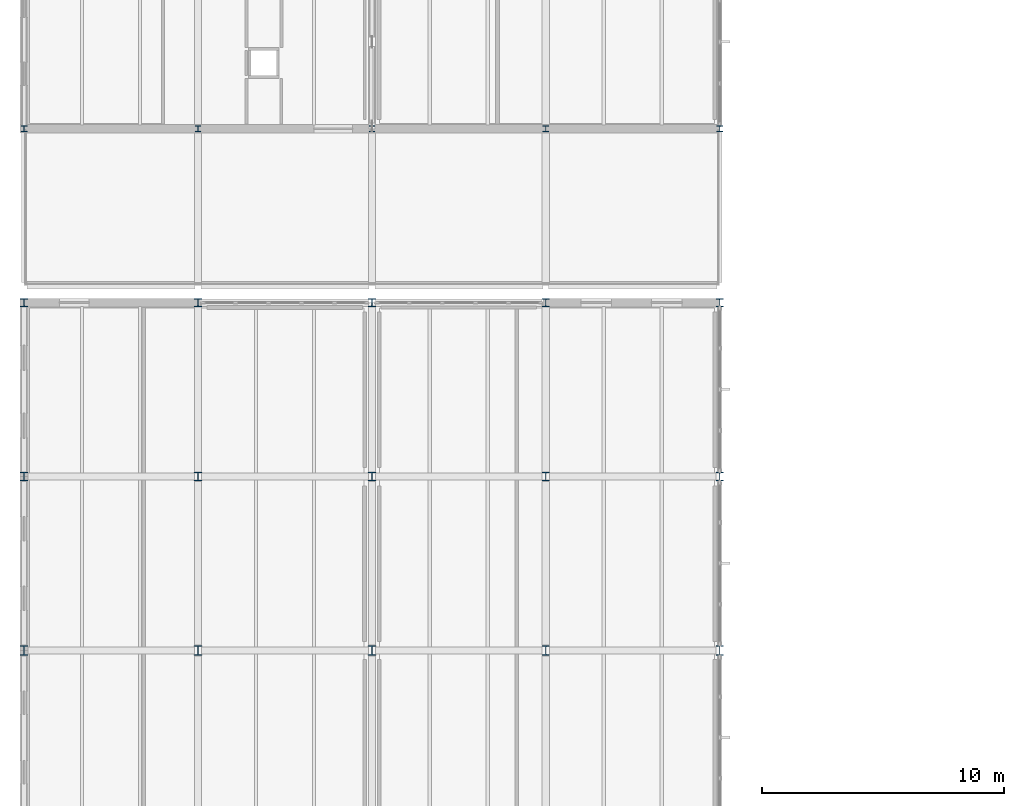
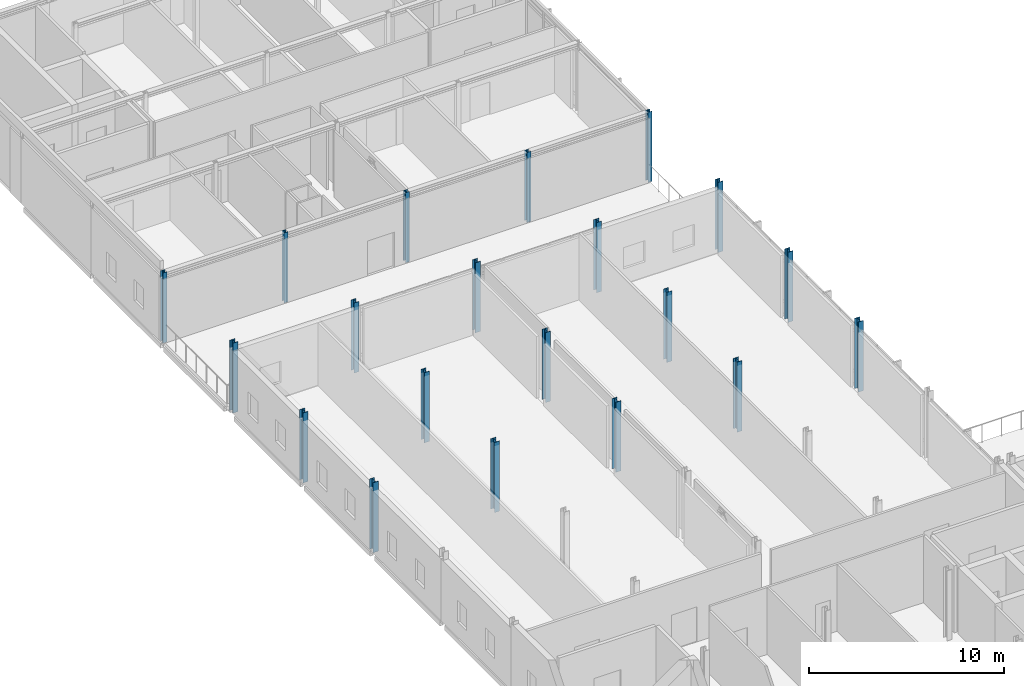
# One storey, part 3 of 53: 20 columns.
"""IFC4 building model written with IfcOpenShell, lengths in metres."""

from ifc_helpers import new_model, si_unit, direction, frame, origin, origin_2d, place, context, subcontext, project, spatial, i_section, extrude, material, material_profile, profile_set, type_object, element, save


model = new_model("IFC4")

# Units and contexts
model_context = context("Model", 3, precision=1e-05, world=origin(), true_north=direction((0.0, 1.0)))
body_context = subcontext(model_context, "Body", "Model", "MODEL_VIEW")
ifc_project = project(units=[si_unit("LENGTHUNIT", "METRE"), si_unit("AREAUNIT", "SQUARE_METRE"), si_unit("VOLUMEUNIT", "CUBIC_METRE"), si_unit("PLANEANGLEUNIT", "RADIAN"), si_unit("MASSUNIT", "GRAM", prefix="KILO")], contexts=[model_context])

# Site, building, storey
site_placement = place(None, origin())
site = spatial("IfcSite", under=ifc_project, at=site_placement, CompositionType="ELEMENT")
building_placement = place(site_placement, origin())
building = spatial("IfcBuilding", under=site, at=building_placement, Name="Zarrinpeak Specialist Clinic", CompositionType="ELEMENT")
storey_placement = place(building_placement, frame((0.0, 0.0, 14.0)))
storey = spatial("IfcBuildingStorey", under=building, at=storey_placement, Name="L03", CompositionType="ELEMENT", Elevation=14.0)

# Columns
ifc_material = material(Name="Steel S355", Category="steel")
ifc_material_profile_1 = material_profile(ifc_material, i_section(OverallWidth=0.239990234375, OverallDepth=0.239990234375, WebThickness=0.010009765625, FlangeThickness=0.01708984375, FilletRadius=0.02099609375, at=origin_2d()), Name="HEB 240")
ifc_profile_set_1 = profile_set([ifc_material_profile_1], Name="Steel S355")
column_type_1 = type_object("IfcColumnType", Name="COL-HEB240", PredefinedType="COLUMN", material=ifc_profile_set_1)
for number, where, z_axis, x_axis, name in (
    (1, (0.0, 57.60009765625, 0.0), (0.0, 0.0, 1.0), (1.0, 0.0, 0.0), "L03 Structural Column COL-L03-007"),
    (2, (7.199951171875, 57.60009765625, 0.0), (0.0, 0.0, 1.0), (1.0, 0.0, 0.0), "L03 Structural Column COL-L03-019"),
    (3, (14.39990234375, 57.60009765625, 0.0), (0.0, 0.0, 1.0), (1.0, 0.0, 0.0), "L03 Structural Column COL-L03-032"),
    (4, (21.60009765625, 57.60009765625, 0.0), (0.0, 0.0, 1.0), (1.0, 0.0, 0.0), "L03 Structural Column COL-L03-045"),
    (5, (28.800048828125, 57.60009765625, 0.0), (0.0, 0.0, 1.0), (1.0, 0.0, 0.0), "L03 Structural Column COL-L03-056"),
):
    element("IfcColumn", number, at=place(storey_placement, frame(where, z_axis=z_axis, x_axis=x_axis)), inside=storey, type_object=column_type_1, Name=name, PredefinedType="COLUMN", context=body_context, shape_type="SweptSolid", body=[
        extrude(i_section(OverallWidth=0.239990234375, OverallDepth=0.239990234375, WebThickness=0.010009765625, FlangeThickness=0.01708984375, FilletRadius=0.02099609375, at=origin_2d()), origin(), (0.0, 0.0, 1.0), 4.39990234375),
    ])
ifc_material_profile_2 = material_profile(ifc_material, i_section(OverallWidth=0.300048828125, OverallDepth=0.320068359375, WebThickness=0.011474609375, FlangeThickness=0.0205078125, FilletRadius=0.027099609375, at=origin_2d()), Name="HEB 320")
ifc_profile_set_2 = profile_set([ifc_material_profile_2], Name="Steel S355")
column_type_2 = type_object("IfcColumnType", Name="COL-HEB320", PredefinedType="COLUMN", material=ifc_profile_set_2)
for number, where, z_axis, x_axis, name in (
    (6, (0.0, 50.39990234375, 0.0), (0.0, 0.0, 1.0), (1.0, 0.0, 0.0), "L03 Structural Column COL-L03-006"),
    (7, (7.199951171875, 50.39990234375, 0.0), (0.0, 0.0, 1.0), (1.0, 0.0, 0.0), "L03 Structural Column COL-L03-018"),
    (8, (14.39990234375, 50.39990234375, 0.0), (0.0, 0.0, 1.0), (1.0, 0.0, 0.0), "L03 Structural Column COL-L03-031"),
    (9, (21.60009765625, 50.39990234375, 0.0), (0.0, 0.0, 1.0), (1.0, 0.0, 0.0), "L03 Structural Column COL-L03-044"),
    (10, (28.800048828125, 50.39990234375, 0.0), (0.0, 0.0, 1.0), (1.0, 0.0, 0.0), "L03 Structural Column COL-L03-055"),
):
    element("IfcColumn", number, at=place(storey_placement, frame(where, z_axis=z_axis, x_axis=x_axis)), inside=storey, type_object=column_type_2, Name=name, PredefinedType="COLUMN", context=body_context, shape_type="SweptSolid", body=[
        extrude(i_section(OverallWidth=0.300048828125, OverallDepth=0.320068359375, WebThickness=0.011474609375, FlangeThickness=0.0205078125, FilletRadius=0.027099609375, at=origin_2d()), origin(), (0.0, 0.0, 1.0), 4.39990234375),
    ])
ifc_material_profile_3 = material_profile(ifc_material, i_section(OverallWidth=0.300048828125, OverallDepth=0.360107421875, WebThickness=0.012451171875, FlangeThickness=0.0224609375, FilletRadius=0.027099609375, at=origin_2d()), Name="HEB 360")
ifc_profile_set_3 = profile_set([ifc_material_profile_3], Name="Steel S355")
column_type_3 = type_object("IfcColumnType", Name="COL-HEB360", PredefinedType="COLUMN", material=ifc_profile_set_3)
for number, where, z_axis, x_axis, name in (
    (11, (0.0, 43.199951171875, 0.0), (0.0, 0.0, 1.0), (1.0, 0.0, 0.0), "L03 Structural Column COL-L03-005"),
    (12, (7.199951171875, 43.199951171875, 0.0), (0.0, 0.0, 1.0), (1.0, 0.0, 0.0), "L03 Structural Column COL-L03-017"),
    (13, (14.39990234375, 43.199951171875, 0.0), (0.0, 0.0, 1.0), (1.0, 0.0, 0.0), "L03 Structural Column COL-L03-030"),
    (14, (21.60009765625, 43.199951171875, 0.0), (0.0, 0.0, 1.0), (1.0, 0.0, 0.0), "L03 Structural Column COL-L03-043"),
    (15, (28.800048828125, 43.199951171875, 0.0), (0.0, 0.0, 1.0), (1.0, 0.0, 0.0), "L03 Structural Column COL-L03-054"),
):
    element("IfcColumn", number, at=place(storey_placement, frame(where, z_axis=z_axis, x_axis=x_axis)), inside=storey, type_object=column_type_3, Name=name, PredefinedType="COLUMN", context=body_context, shape_type="SweptSolid", body=[
        extrude(i_section(OverallWidth=0.300048828125, OverallDepth=0.360107421875, WebThickness=0.012451171875, FlangeThickness=0.0224609375, FilletRadius=0.027099609375, at=origin_2d()), origin(), (0.0, 0.0, 1.0), 4.39990234375),
    ])
ifc_material_profile_4 = material_profile(ifc_material, i_section(OverallWidth=0.300048828125, OverallDepth=0.39990234375, WebThickness=0.013427734375, FlangeThickness=0.02392578125, FilletRadius=0.027099609375, at=origin_2d()), Name="HEB 400")
ifc_profile_set_4 = profile_set([ifc_material_profile_4], Name="Steel S355")
column_type_4 = type_object("IfcColumnType", Name="COL-HEB400", PredefinedType="COLUMN", material=ifc_profile_set_4)
for number, where, z_axis, x_axis, name in (
    (16, (0.0, 36.0, 0.0), (0.0, 0.0, 1.0), (1.0, 0.0, 0.0), "L03 Structural Column COL-L03-004"),
    (17, (7.199951171875, 36.0, 0.0), (0.0, 0.0, 1.0), (1.0, 0.0, 0.0), "L03 Structural Column COL-L03-016"),
    (18, (14.39990234375, 36.0, 0.0), (0.0, 0.0, 1.0), (1.0, 0.0, 0.0), "L03 Structural Column COL-L03-029"),
    (19, (21.60009765625, 36.0, 0.0), (0.0, 0.0, 1.0), (1.0, 0.0, 0.0), "L03 Structural Column COL-L03-042"),
    (20, (28.800048828125, 36.0, 0.0), (0.0, 0.0, 1.0), (1.0, 0.0, 0.0), "L03 Structural Column COL-L03-053"),
):
    element("IfcColumn", number, at=place(storey_placement, frame(where, z_axis=z_axis, x_axis=x_axis)), inside=storey, type_object=column_type_4, Name=name, PredefinedType="COLUMN", context=body_context, shape_type="SweptSolid", body=[
        extrude(i_section(OverallWidth=0.300048828125, OverallDepth=0.39990234375, WebThickness=0.013427734375, FlangeThickness=0.02392578125, FilletRadius=0.027099609375, at=origin_2d()), origin(), (0.0, 0.0, 1.0), 4.39990234375),
    ])

save(model, "model.ifc")
